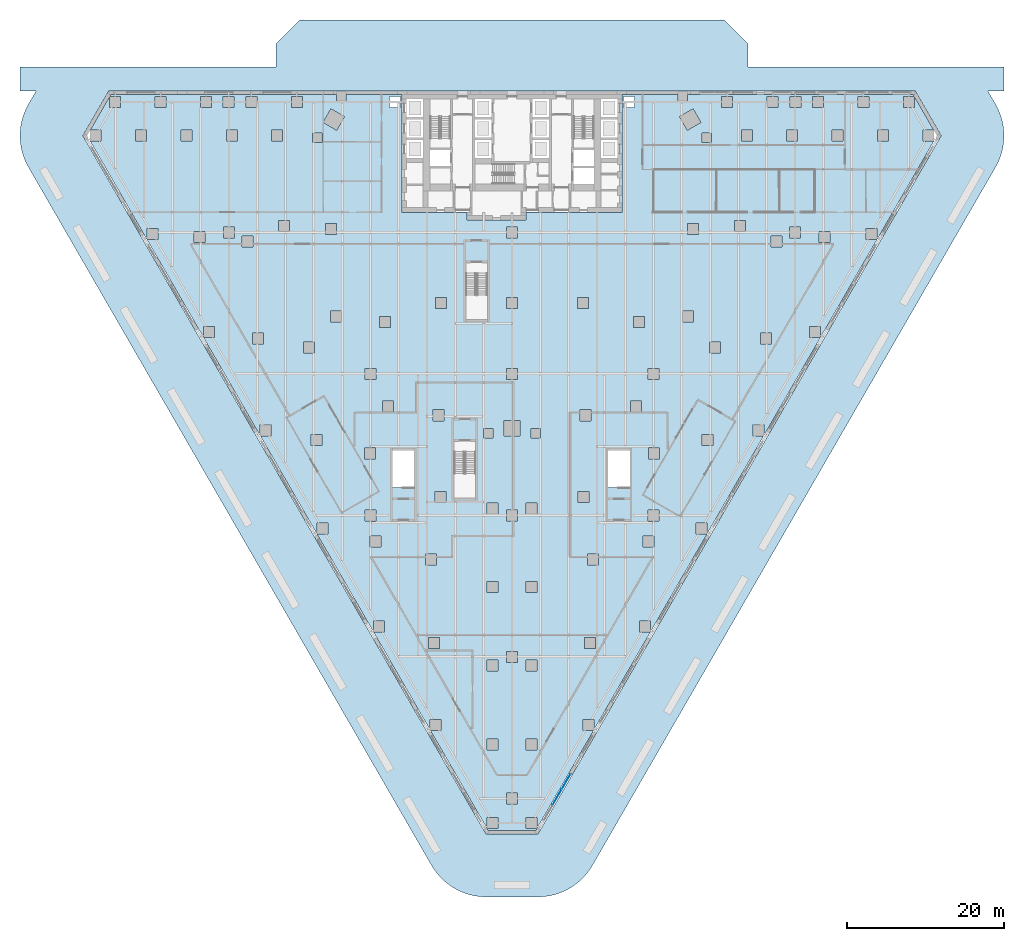
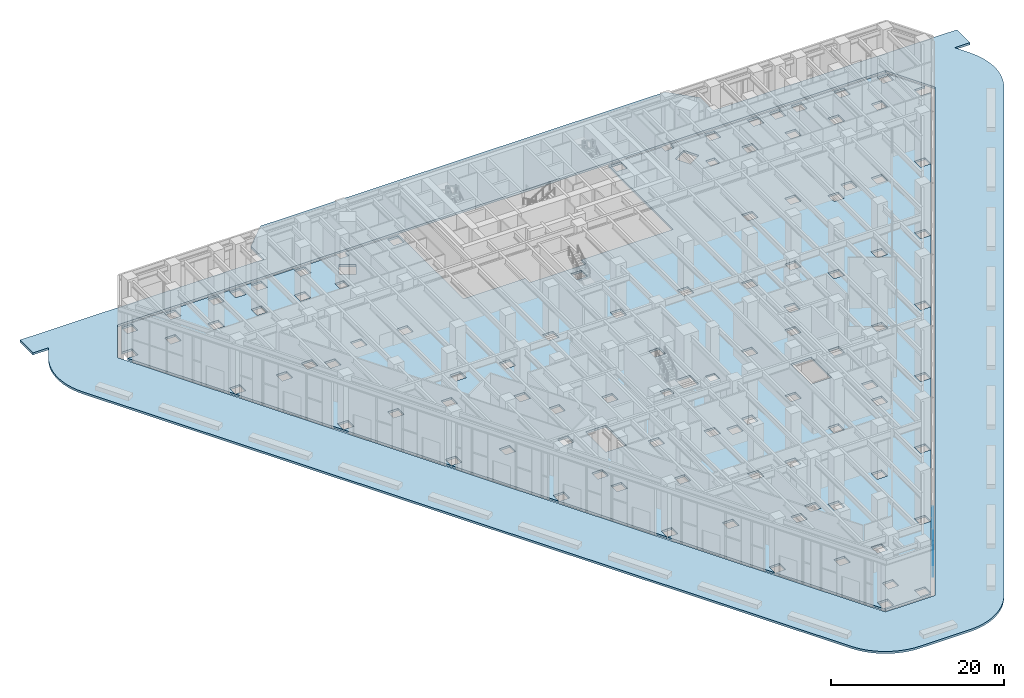
# One storey, part 21 of 37: 4 plates, 2 slabs, 1 element without a shape of its own.
"""IFC4 building model written with IfcOpenShell, lengths in metres."""

from ifc_helpers import new_model, si_unit, direction, frame, origin, origin_2d, place, context, subcontext, project, spatial, polyline, rectangle, outline, extrude, material, layer, layer_set, type_object, element, aggregate, save


model = new_model("IFC4")

# Units and contexts
model_context = context("Model", 3, precision=1e-05, world=origin(), true_north=direction((0.0, 1.0)))
body_context = subcontext(model_context, "Body", "Model", "MODEL_VIEW")
ifc_project = project(units=[si_unit("LENGTHUNIT", "METRE"), si_unit("AREAUNIT", "SQUARE_METRE"), si_unit("VOLUMEUNIT", "CUBIC_METRE"), si_unit("PLANEANGLEUNIT", "RADIAN"), si_unit("MASSUNIT", "GRAM", prefix="KILO")], contexts=[model_context])

# Site, building, storey
site_placement = place(None, origin())
site = spatial("IfcSite", under=ifc_project, at=site_placement, CompositionType="ELEMENT")
building_placement = place(site_placement, origin())
building = spatial("IfcBuilding", under=site, at=building_placement, Name="Aloe Facet Convention Tower", CompositionType="ELEMENT")
storey_placement = place(building_placement, origin())
storey = spatial("IfcBuildingStorey", under=building, at=storey_placement, Name="L00", CompositionType="ELEMENT", Elevation=0.0)

# Curtain wall, plates
ifc_material_1 = material(Name="Aluminium, anodised", Category="aluminium")
curtain_wall_type = type_object("IfcCurtainWallType", Name="EV-CW-SHOP", PredefinedType="USERDEFINED", material=ifc_material_1)
curtain_wall_placement = place(storey_placement, origin())
curtain_wall = element("IfcCurtainWall", 1, at=curtain_wall_placement, inside=storey, type_object=curtain_wall_type, Name="CW-L00-E02", ObjectType="STICK SHOPFRONT GLAZING", PredefinedType="USERDEFINED")
ifc_material_2 = material(Name="Clear double glazing", Category="glass")
ifc_layer_1 = layer(ifc_material_2, 0.028076171875)
ifc_layer_set_1 = layer_set([ifc_layer_1], Name="EV-PANEL-SHOP")
plate_type = type_object("IfcPlateType", Name="EV-PANEL-SHOP", PredefinedType="CURTAIN_PANEL", material=ifc_layer_set_1)
plate_1_placement = place(storey_placement, frame((85.74365234375, 45.1689453125, -0.23974609375), z_axis=(0.0, 0.0, 1.0), x_axis=(0.500000000015, 0.866025403776, 0.0)))
plate_1 = element("IfcPlate", 2, at=plate_1_placement, type_object=plate_type, Name="CW-L00-E02 panel 2.1", PredefinedType="CURTAIN_PANEL", context=body_context, shape_type="SweptSolid", body=[
    extrude(rectangle(XDim=2.236328125, YDim=0.028076171875, at=origin_2d()), origin(), (0.0, 0.0, 1.0), 3.316162109375),
])
plate_2_placement = place(storey_placement, frame((85.74365234375, 45.1689453125, 3.13623046875), z_axis=(0.0, 0.0, 1.0), x_axis=(0.500000000015, 0.866025403776, 0.0)))
plate_2 = element("IfcPlate", 3, at=plate_2_placement, type_object=plate_type, Name="CW-L00-E02 panel 2.2", PredefinedType="CURTAIN_PANEL", context=body_context, shape_type="SweptSolid", body=[
    extrude(rectangle(XDim=2.236328125, YDim=0.028076171875, at=origin_2d()), origin(), (0.0, 0.0, 1.0), 3.316162109375),
])
plate_3_placement = place(storey_placement, frame((86.88427734375, 47.14453125, -0.23974609375), z_axis=(0.0, 0.0, 1.0), x_axis=(0.500000000015, 0.866025403776, 0.0)))
plate_3 = element("IfcPlate", 4, at=plate_3_placement, type_object=plate_type, Name="CW-L00-E02 panel 3.1", PredefinedType="CURTAIN_PANEL", context=body_context, shape_type="SweptSolid", body=[
    extrude(rectangle(XDim=2.206298828125, YDim=0.028076171875, at=origin_2d()), origin(), (0.0, 0.0, 1.0), 3.316162109375),
])
plate_4_placement = place(storey_placement, frame((86.88427734375, 47.14453125, 3.13623046875), z_axis=(0.0, 0.0, 1.0), x_axis=(0.500000000015, 0.866025403776, 0.0)))
plate_4 = element("IfcPlate", 5, at=plate_4_placement, type_object=plate_type, Name="CW-L00-E02 panel 3.2", PredefinedType="CURTAIN_PANEL", context=body_context, shape_type="SweptSolid", body=[
    extrude(rectangle(XDim=2.206298828125, YDim=0.028076171875, at=origin_2d()), origin(), (0.0, 0.0, 1.0), 3.316162109375),
])
aggregate(curtain_wall, [plate_1, plate_2, plate_3, plate_4])

# Slabs
ifc_material_3 = material(Name="Concrete C32/40", Category="concrete")
ifc_layer_2 = layer(ifc_material_3, 0.300048828125)
ifc_layer_set_2 = layer_set([ifc_layer_2], Name="EV-PLAZA")
slab_type_1 = type_object("IfcSlabType", Name="EV-PLAZA", PredefinedType="FLOOR", material=ifc_layer_set_2)
slab_1_placement = place(storey_placement, frame((0.0, 0.0, -0.300048828125)))
element("IfcSlab", 6, at=slab_1_placement, inside=storey, type_object=slab_type_1, Name="PAVING PLAZA AND DROP-OFF LAY-BY 1", PredefinedType="FLOOR", context=body_context, shape_type="SweptSolid", body=[
    extrude(outline(polyline([(141.49560546875, 133.2841796875), (141.844482421875, 132.607666015625), (142.12744140625, 131.90087890625), (142.342041015625, 131.17041015625), (142.486083984375, 130.4228515625), (142.558349609375, 129.664794921875), (142.558349609375, 128.903564453125), (142.486083984375, 128.145751953125), (142.342041015625, 127.398193359375), (142.12744140625, 126.667724609375), (141.844482421875, 125.9609375), (141.49560546875, 125.2841796875), (90.228271484375, 36.486328125), (89.816650390625, 35.845947265625), (89.345947265625, 35.247314453125), (88.820556640625, 34.696533203125), (88.245361328125, 34.19775390625), (87.625244140625, 33.75634765625), (86.9658203125, 33.375732421875), (86.273193359375, 33.059326171875), (85.553955078125, 32.810302734375), (84.81396484375, 32.630859375), (84.060546875, 32.5224609375), (83.300048828125, 32.486328125), (76.699951171875, 32.486328125), (75.939453125, 32.5224609375), (75.18603515625, 32.630859375), (74.446044921875, 32.810302734375), (73.726806640625, 33.059326171875), (73.0341796875, 33.375732421875), (72.374755859375, 33.75634765625), (71.754638671875, 34.19775390625), (71.179443359375, 34.696533203125), (70.654052734375, 35.247314453125), (70.183349609375, 35.845947265625), (69.771728515625, 36.486328125), (18.50439453125, 125.2841796875), (18.155517578125, 125.9609375), (17.87255859375, 126.667724609375), (17.657958984375, 127.398193359375), (17.513916015625, 128.145751953125), (17.441650390625, 128.903564453125), (17.441650390625, 129.664794921875), (17.513916015625, 130.4228515625), (17.657958984375, 131.17041015625), (17.87255859375, 131.90087890625), (18.155517578125, 132.607666015625), (18.50439453125, 133.2841796875), (19.494873046875, 135.0), (17.432373046875, 135.0), (17.432373046875, 138.0), (50.0, 138.0), (50.0, 141.0), (53.0, 144.0), (107.0, 144.0), (110.0, 141.0), (110.0, 138.0), (142.567626953125, 138.0), (142.567626953125, 135.0), (140.505126953125, 135.0), (141.49560546875, 133.2841796875)]), holes=[polyline([(76.699951171875, 40.486328125), (83.300048828125, 40.486328125), (134.567626953125, 129.2841796875), (131.267578125, 135.0), (110.0, 135.0), (50.0, 135.0), (28.732421875, 135.0), (25.432373046875, 129.2841796875), (76.699951171875, 40.486328125)])]), origin(), (0.0, 0.0, 1.0), 0.300048828125),
])
ifc_material_4 = material(Name="Concrete C35/45", Category="concrete")
ifc_layer_3 = layer(ifc_material_4, 0.300048828125)
ifc_layer_set_3 = layer_set([ifc_layer_3], Name="SF-FS-300")
slab_type_2 = type_object("IfcSlabType", Name="SF-FS-300", PredefinedType="FLOOR", material=ifc_layer_set_3)
slab_2_placement = place(storey_placement, frame((0.0, 0.0, -0.300048828125)))
element("IfcSlab", 7, at=slab_2_placement, inside=storey, type_object=slab_type_2, Name="Floor slab L00-1", PredefinedType="FLOOR", context=body_context, shape_type="SweptSolid", body=[
    extrude(outline(polyline([(131.152099609375, 134.300048828125), (129.759033203125, 134.300048828125), (129.759033203125, 132.89990234375), (131.158935546875, 132.89990234375), (131.158935546875, 134.2880859375), (133.643798828125, 129.98388671875), (132.2509765625, 129.98388671875), (132.2509765625, 128.583984375), (133.6435546875, 128.583984375), (126.44189453125, 116.1103515625), (126.44189453125, 117.4990234375), (125.0419921875, 117.4990234375), (125.0419921875, 116.09912109375), (126.435302734375, 116.09912109375), (119.23388671875, 103.625732421875), (119.23388671875, 105.012939453125), (117.833984375, 105.012939453125), (117.833984375, 103.613037109375), (119.2265625, 103.613037109375), (112.02587890625, 91.14111328125), (112.02587890625, 92.528076171875), (110.6259765625, 92.528076171875), (110.6259765625, 91.1279296875), (112.018310546875, 91.1279296875), (104.81689453125, 78.65478515625), (104.81689453125, 80.04296875), (103.4169921875, 80.04296875), (103.4169921875, 78.64306640625), (104.810302734375, 78.64306640625), (97.60888671875, 66.170166015625), (97.60888671875, 67.556884765625), (96.208984375, 67.556884765625), (96.208984375, 66.156982421875), (97.601318359375, 66.156982421875), (90.39990234375, 53.683837890625), (90.39990234375, 55.072021484375), (89.0, 55.072021484375), (89.0, 53.672119140625), (90.393310546875, 53.672119140625), (83.19189453125, 41.19921875), (83.19189453125, 42.5859375), (81.7919921875, 42.5859375), (81.7919921875, 41.18603515625), (83.184326171875, 41.18603515625), (83.040283203125, 40.936279296875), (76.959716796875, 40.936279296875), (76.815673828125, 41.18603515625), (78.2080078125, 41.18603515625), (78.2080078125, 42.5859375), (76.80810546875, 42.5859375), (76.80810546875, 41.19921875), (69.606689453125, 53.672119140625), (71.0, 53.672119140625), (71.0, 55.072021484375), (69.60009765625, 55.072021484375), (69.60009765625, 53.683837890625), (62.398681640625, 66.156982421875), (63.791015625, 66.156982421875), (63.791015625, 67.556884765625), (62.39111328125, 67.556884765625), (62.39111328125, 66.170166015625), (55.189697265625, 78.64306640625), (56.5830078125, 78.64306640625), (56.5830078125, 80.04296875), (55.18310546875, 80.04296875), (55.18310546875, 78.65478515625), (47.981689453125, 91.1279296875), (49.3740234375, 91.1279296875), (49.3740234375, 92.528076171875), (47.97412109375, 92.528076171875), (47.97412109375, 91.14111328125), (40.7734375, 103.613037109375), (42.166015625, 103.613037109375), (42.166015625, 105.012939453125), (40.76611328125, 105.012939453125), (40.76611328125, 103.625732421875), (33.564697265625, 116.09912109375), (34.9580078125, 116.09912109375), (34.9580078125, 117.4990234375), (33.55810546875, 117.4990234375), (33.55810546875, 116.1103515625), (26.3564453125, 128.583984375), (27.7490234375, 128.583984375), (27.7490234375, 129.98388671875), (26.356201171875, 129.98388671875), (28.841064453125, 134.2880859375), (28.841064453125, 132.89990234375), (30.240966796875, 132.89990234375), (30.240966796875, 134.300048828125), (28.847900390625, 134.300048828125), (28.9921875, 134.550048828125), (57.699951171875, 134.550048828125), (57.699951171875, 133.699951171875), (58.89990234375, 133.699951171875), (58.89990234375, 134.550048828125), (66.0, 134.550048828125), (66.0, 131.949951171875), (66.0, 131.050048828125), (66.0, 129.35009765625), (66.0, 128.449951171875), (66.0, 126.449951171875), (66.0, 125.85009765625), (66.0, 123.57373046875), (66.0, 122.523681640625), (66.0, 119.550048828125), (68.699951171875, 119.550048828125), (69.300048828125, 119.550048828125), (72.10009765625, 119.550048828125), (73.14990234375, 119.550048828125), (74.300048828125, 119.550048828125), (74.300048828125, 118.550048828125), (81.75, 118.550048828125), (81.75, 119.550048828125), (82.64990234375, 119.550048828125), (83.699951171875, 119.550048828125), (84.64990234375, 119.550048828125), (85.699951171875, 119.550048828125), (86.85009765625, 119.550048828125), (87.89990234375, 119.550048828125), (90.699951171875, 119.550048828125), (91.300048828125, 119.550048828125), (94.0, 119.550048828125), (94.0, 121.8212890625), (94.0, 122.871337890625), (94.0, 123.89990234375), (94.0, 124.949951171875), (94.0, 125.85009765625), (94.0, 126.449951171875), (94.0, 128.449951171875), (94.0, 129.35009765625), (94.0, 131.050048828125), (94.0, 131.949951171875), (94.0, 134.550048828125), (101.10009765625, 134.550048828125), (101.10009765625, 133.699951171875), (102.300048828125, 133.699951171875), (102.300048828125, 134.550048828125), (131.0078125, 134.550048828125), (131.152099609375, 134.300048828125)]), holes=[polyline([(54.465087890625, 91.284912109375), (54.465087890625, 89.885009765625), (55.864990234375, 89.885009765625), (55.864990234375, 91.284912109375), (54.465087890625, 91.284912109375)]), polyline([(53.4609375, 101.625), (54.861083984375, 101.625), (54.861083984375, 103.02490234375), (53.4609375, 103.02490234375), (53.4609375, 101.625)]), polyline([(47.01806640625, 104.18505859375), (47.01806640625, 102.784912109375), (48.41796875, 102.784912109375), (48.41796875, 104.18505859375), (47.01806640625, 104.18505859375)]), polyline([(56.925048828125, 105.625), (58.324951171875, 105.625), (58.324951171875, 107.02490234375), (56.925048828125, 107.02490234375), (56.925048828125, 105.625)]), polyline([(45.678955078125, 116.5048828125), (45.678955078125, 115.10498046875), (47.0791015625, 115.10498046875), (47.0791015625, 116.5048828125), (45.678955078125, 116.5048828125)]), polyline([(39.570068359375, 117.0849609375), (39.570068359375, 115.68505859375), (40.969970703125, 115.68505859375), (40.969970703125, 117.0849609375), (39.570068359375, 117.0849609375)]), polyline([(43.300048828125, 117.699951171875), (43.300048828125, 116.300048828125), (44.699951171875, 116.300048828125), (44.699951171875, 117.699951171875), (43.300048828125, 117.699951171875)]), polyline([(56.283935546875, 118.135009765625), (56.283935546875, 116.735107421875), (57.68408203125, 116.735107421875), (57.68408203125, 118.135009765625), (56.283935546875, 118.135009765625)]), polyline([(50.297119140625, 118.5048828125), (50.297119140625, 117.10498046875), (51.697021484375, 117.10498046875), (51.697021484375, 118.5048828125), (50.297119140625, 118.5048828125)]), polyline([(54.65625, 128.427978515625), (55.856201171875, 128.427978515625), (55.856201171875, 129.6279296875), (54.65625, 129.6279296875), (54.65625, 128.427978515625)]), polyline([(37.89599609375, 129.98388671875), (37.89599609375, 128.583984375), (39.2958984375, 128.583984375), (39.2958984375, 129.98388671875), (37.89599609375, 129.98388671875)]), polyline([(43.669921875, 129.98388671875), (43.669921875, 128.583984375), (45.070068359375, 128.583984375), (45.070068359375, 129.98388671875), (43.669921875, 129.98388671875)]), polyline([(49.443115234375, 129.98388671875), (49.443115234375, 128.583984375), (50.843017578125, 128.583984375), (50.843017578125, 129.98388671875), (49.443115234375, 129.98388671875)]), polyline([(32.123046875, 129.98388671875), (32.123046875, 128.583984375), (33.52294921875, 128.583984375), (33.52294921875, 129.98388671875), (32.123046875, 129.98388671875)]), polyline([(58.70166015625, 131.7080078125), (56.969482421875, 132.7080078125), (55.969482421875, 130.97607421875), (57.70166015625, 129.97607421875), (58.70166015625, 131.7080078125)]), polyline([(46.160888671875, 134.300048828125), (46.160888671875, 132.89990234375), (47.56103515625, 132.89990234375), (47.56103515625, 134.300048828125), (46.160888671875, 134.300048828125)]), polyline([(51.93505859375, 134.300048828125), (51.93505859375, 132.89990234375), (53.3349609375, 132.89990234375), (53.3349609375, 134.300048828125), (51.93505859375, 134.300048828125)]), polyline([(43.258056640625, 134.300048828125), (43.258056640625, 132.89990234375), (44.657958984375, 132.89990234375), (44.657958984375, 134.300048828125), (43.258056640625, 134.300048828125)]), polyline([(40.387939453125, 134.300048828125), (40.387939453125, 132.89990234375), (41.7880859375, 132.89990234375), (41.7880859375, 134.300048828125), (40.387939453125, 134.300048828125)]), polyline([(34.614013671875, 134.300048828125), (34.614013671875, 132.89990234375), (36.013916015625, 132.89990234375), (36.013916015625, 134.300048828125), (34.614013671875, 134.300048828125)]), polyline([(76.80810546875, 52.5859375), (76.80810546875, 51.18603515625), (78.2080078125, 51.18603515625), (78.2080078125, 52.5859375), (76.80810546875, 52.5859375)]), polyline([(76.80810546875, 61.18603515625), (78.2080078125, 61.18603515625), (78.2080078125, 62.5859375), (76.80810546875, 62.5859375), (76.80810546875, 61.18603515625)]), polyline([(69.361083984375, 65.486083984375), (69.361083984375, 64.0859375), (70.760986328125, 64.0859375), (70.760986328125, 65.486083984375), (69.361083984375, 65.486083984375)]), polyline([(76.80810546875, 71.18603515625), (78.2080078125, 71.18603515625), (78.2080078125, 72.5859375), (76.80810546875, 72.5859375), (76.80810546875, 71.18603515625)]), polyline([(69.02587890625, 76.06591796875), (69.02587890625, 74.666015625), (70.426025390625, 74.666015625), (70.426025390625, 76.06591796875), (69.02587890625, 76.06591796875)]), polyline([(61.9130859375, 78.385986328125), (61.9130859375, 76.986083984375), (63.31298828125, 76.986083984375), (63.31298828125, 78.385986328125), (61.9130859375, 78.385986328125)]), polyline([(61.300048828125, 81.699951171875), (61.300048828125, 80.300048828125), (62.699951171875, 80.300048828125), (62.699951171875, 81.699951171875), (61.300048828125, 81.699951171875)]), polyline([(76.80810546875, 82.5859375), (76.80810546875, 81.18603515625), (78.2080078125, 81.18603515625), (78.2080078125, 82.5859375), (76.80810546875, 82.5859375)]), polyline([(70.180908203125, 84.06591796875), (70.180908203125, 82.666015625), (71.5810546875, 82.666015625), (71.5810546875, 84.06591796875), (70.180908203125, 84.06591796875)]), polyline([(64.800048828125, 89.25), (64.800048828125, 84.55126953125), (67.550048828125, 84.55126953125), (67.550048828125, 89.25), (64.800048828125, 89.25)]), polyline([(61.242919921875, 88.14501953125), (62.64306640625, 88.14501953125), (62.64306640625, 89.544921875), (61.242919921875, 89.544921875), (61.242919921875, 88.14501953125)]), polyline([(76.356201171875, 92.04248046875), (76.356201171875, 90.842529296875), (77.55615234375, 90.842529296875), (77.55615234375, 92.04248046875), (76.356201171875, 92.04248046875)]), polyline([(81.0, 93.086181640625), (79.0, 93.086181640625), (79.0, 91.086181640625), (81.0, 91.086181640625), (81.0, 93.086181640625)]), polyline([(69.967041015625, 93.035888671875), (71.366943359375, 93.035888671875), (71.366943359375, 94.43603515625), (69.967041015625, 94.43603515625), (69.967041015625, 93.035888671875)]), polyline([(63.552978515625, 95.544921875), (63.552978515625, 94.14501953125), (64.952880859375, 94.14501953125), (64.952880859375, 95.544921875), (63.552978515625, 95.544921875)]), polyline([(61.300048828125, 99.699951171875), (61.300048828125, 98.300048828125), (62.699951171875, 98.300048828125), (62.699951171875, 99.699951171875), (61.300048828125, 99.699951171875)]), polyline([(63.1259765625, 104.885009765625), (64.52587890625, 104.885009765625), (64.52587890625, 106.284912109375), (63.1259765625, 106.284912109375), (63.1259765625, 104.885009765625)]), polyline([(70.300048828125, 108.699951171875), (70.300048828125, 107.300048828125), (71.699951171875, 107.300048828125), (71.699951171875, 108.699951171875), (70.300048828125, 108.699951171875)]), polyline([(79.300048828125, 108.699951171875), (79.300048828125, 107.300048828125), (80.699951171875, 107.300048828125), (80.699951171875, 108.699951171875), (79.300048828125, 108.699951171875)]), polyline([(79.300048828125, 117.699951171875), (79.300048828125, 116.300048828125), (80.699951171875, 116.300048828125), (80.699951171875, 117.699951171875), (79.300048828125, 117.699951171875)]), polyline([(64.405029296875, 134.300048828125), (64.405029296875, 132.89990234375), (65.804931640625, 132.89990234375), (65.804931640625, 134.300048828125), (64.405029296875, 134.300048828125)]), polyline([(79.300048828125, 45.699951171875), (79.300048828125, 44.300048828125), (80.699951171875, 44.300048828125), (80.699951171875, 45.699951171875), (79.300048828125, 45.699951171875)]), polyline([(81.7919921875, 52.5859375), (81.7919921875, 51.18603515625), (83.19189453125, 51.18603515625), (83.19189453125, 52.5859375), (81.7919921875, 52.5859375)]), polyline([(81.7919921875, 62.5859375), (81.7919921875, 61.18603515625), (83.19189453125, 61.18603515625), (83.19189453125, 62.5859375), (81.7919921875, 62.5859375)]), polyline([(79.300048828125, 63.699951171875), (79.300048828125, 62.300048828125), (80.699951171875, 62.300048828125), (80.699951171875, 63.699951171875), (79.300048828125, 63.699951171875)]), polyline([(89.239013671875, 64.0859375), (90.638916015625, 64.0859375), (90.638916015625, 65.486083984375), (89.239013671875, 65.486083984375), (89.239013671875, 64.0859375)]), polyline([(81.7919921875, 72.5859375), (81.7919921875, 71.18603515625), (83.19189453125, 71.18603515625), (83.19189453125, 72.5859375), (81.7919921875, 72.5859375)]), polyline([(89.573974609375, 76.06591796875), (89.573974609375, 74.666015625), (90.97412109375, 74.666015625), (90.97412109375, 76.06591796875), (89.573974609375, 76.06591796875)]), polyline([(96.68701171875, 78.385986328125), (96.68701171875, 76.986083984375), (98.0869140625, 76.986083984375), (98.0869140625, 78.385986328125), (96.68701171875, 78.385986328125)]), polyline([(79.300048828125, 81.699951171875), (79.300048828125, 80.300048828125), (80.699951171875, 80.300048828125), (80.699951171875, 81.699951171875), (79.300048828125, 81.699951171875)]), polyline([(97.300048828125, 81.699951171875), (97.300048828125, 80.300048828125), (98.699951171875, 80.300048828125), (98.699951171875, 81.699951171875), (97.300048828125, 81.699951171875)]), polyline([(81.7919921875, 81.18603515625), (83.19189453125, 81.18603515625), (83.19189453125, 82.5859375), (81.7919921875, 82.5859375), (81.7919921875, 81.18603515625)]), polyline([(88.4189453125, 84.06591796875), (88.4189453125, 82.666015625), (89.819091796875, 82.666015625), (89.819091796875, 84.06591796875), (88.4189453125, 84.06591796875)]), polyline([(92.22509765625, 89.25), (92.22509765625, 84.55126953125), (94.97509765625, 84.55126953125), (94.97509765625, 89.25), (92.22509765625, 89.25)]), polyline([(97.35693359375, 88.14501953125), (98.757080078125, 88.14501953125), (98.757080078125, 89.544921875), (97.35693359375, 89.544921875), (97.35693359375, 88.14501953125)]), polyline([(82.44384765625, 92.04248046875), (82.44384765625, 90.842529296875), (83.643798828125, 90.842529296875), (83.643798828125, 92.04248046875), (82.44384765625, 92.04248046875)]), polyline([(88.633056640625, 94.43603515625), (88.633056640625, 93.035888671875), (90.032958984375, 93.035888671875), (90.032958984375, 94.43603515625), (88.633056640625, 94.43603515625)]), polyline([(95.047119140625, 94.14501953125), (96.447021484375, 94.14501953125), (96.447021484375, 95.544921875), (95.047119140625, 95.544921875), (95.047119140625, 94.14501953125)]), polyline([(97.300048828125, 99.699951171875), (97.300048828125, 98.300048828125), (98.699951171875, 98.300048828125), (98.699951171875, 99.699951171875), (97.300048828125, 99.699951171875)]), polyline([(79.300048828125, 99.699951171875), (79.300048828125, 98.300048828125), (80.699951171875, 98.300048828125), (80.699951171875, 99.699951171875), (79.300048828125, 99.699951171875)]), polyline([(95.47412109375, 106.284912109375), (95.47412109375, 104.885009765625), (96.8740234375, 104.885009765625), (96.8740234375, 106.284912109375), (95.47412109375, 106.284912109375)]), polyline([(88.300048828125, 108.699951171875), (88.300048828125, 107.300048828125), (89.699951171875, 107.300048828125), (89.699951171875, 108.699951171875), (88.300048828125, 108.699951171875)]), polyline([(94.195068359375, 134.300048828125), (94.195068359375, 132.89990234375), (95.594970703125, 132.89990234375), (95.594970703125, 134.300048828125), (94.195068359375, 134.300048828125)]), polyline([(104.135009765625, 91.284912109375), (104.135009765625, 89.885009765625), (105.534912109375, 89.885009765625), (105.534912109375, 91.284912109375), (104.135009765625, 91.284912109375)]), polyline([(105.138916015625, 101.625), (106.5390625, 101.625), (106.5390625, 103.02490234375), (105.138916015625, 103.02490234375), (105.138916015625, 101.625)]), polyline([(111.58203125, 104.18505859375), (111.58203125, 102.784912109375), (112.98193359375, 102.784912109375), (112.98193359375, 104.18505859375), (111.58203125, 104.18505859375)]), polyline([(101.675048828125, 105.625), (103.074951171875, 105.625), (103.074951171875, 107.02490234375), (101.675048828125, 107.02490234375), (101.675048828125, 105.625)]), polyline([(112.9208984375, 116.5048828125), (112.9208984375, 115.10498046875), (114.321044921875, 115.10498046875), (114.321044921875, 116.5048828125), (112.9208984375, 116.5048828125)]), polyline([(119.030029296875, 117.0849609375), (119.030029296875, 115.68505859375), (120.429931640625, 115.68505859375), (120.429931640625, 117.0849609375), (119.030029296875, 117.0849609375)]), polyline([(115.300048828125, 117.699951171875), (115.300048828125, 116.300048828125), (116.699951171875, 116.300048828125), (116.699951171875, 117.699951171875), (115.300048828125, 117.699951171875)]), polyline([(102.31591796875, 118.135009765625), (102.31591796875, 116.735107421875), (103.716064453125, 116.735107421875), (103.716064453125, 118.135009765625), (102.31591796875, 118.135009765625)]), polyline([(108.302978515625, 118.5048828125), (108.302978515625, 117.10498046875), (109.702880859375, 117.10498046875), (109.702880859375, 118.5048828125), (108.302978515625, 118.5048828125)]), polyline([(104.143798828125, 128.427978515625), (105.34375, 128.427978515625), (105.34375, 129.6279296875), (104.143798828125, 129.6279296875), (104.143798828125, 128.427978515625)]), polyline([(126.47705078125, 129.98388671875), (126.47705078125, 128.583984375), (127.876953125, 128.583984375), (127.876953125, 129.98388671875), (126.47705078125, 129.98388671875)]), polyline([(120.7041015625, 129.98388671875), (120.7041015625, 128.583984375), (122.10400390625, 128.583984375), (122.10400390625, 129.98388671875), (120.7041015625, 129.98388671875)]), polyline([(114.929931640625, 129.98388671875), (114.929931640625, 128.583984375), (116.330078125, 128.583984375), (116.330078125, 129.98388671875), (114.929931640625, 129.98388671875)]), polyline([(109.156982421875, 129.98388671875), (109.156982421875, 128.583984375), (110.556884765625, 128.583984375), (110.556884765625, 129.98388671875), (109.156982421875, 129.98388671875)]), polyline([(102.29833984375, 129.97607421875), (104.030517578125, 130.97607421875), (103.030517578125, 132.7080078125), (101.29833984375, 131.7080078125), (102.29833984375, 129.97607421875)]), polyline([(115.342041015625, 134.300048828125), (115.342041015625, 132.89990234375), (116.741943359375, 132.89990234375), (116.741943359375, 134.300048828125), (115.342041015625, 134.300048828125)]), polyline([(118.2119140625, 134.300048828125), (118.2119140625, 132.89990234375), (119.612060546875, 132.89990234375), (119.612060546875, 134.300048828125), (118.2119140625, 134.300048828125)]), polyline([(112.43896484375, 134.300048828125), (112.43896484375, 132.89990234375), (113.839111328125, 132.89990234375), (113.839111328125, 134.300048828125), (112.43896484375, 134.300048828125)]), polyline([(123.986083984375, 134.300048828125), (123.986083984375, 132.89990234375), (125.385986328125, 132.89990234375), (125.385986328125, 134.300048828125), (123.986083984375, 134.300048828125)]), polyline([(106.6650390625, 134.300048828125), (106.6650390625, 132.89990234375), (108.06494140625, 132.89990234375), (108.06494140625, 134.300048828125), (106.6650390625, 134.300048828125)])]), origin(), (0.0, 0.0, 1.0), 0.300048828125),
])

save(model, "model.ifc")
